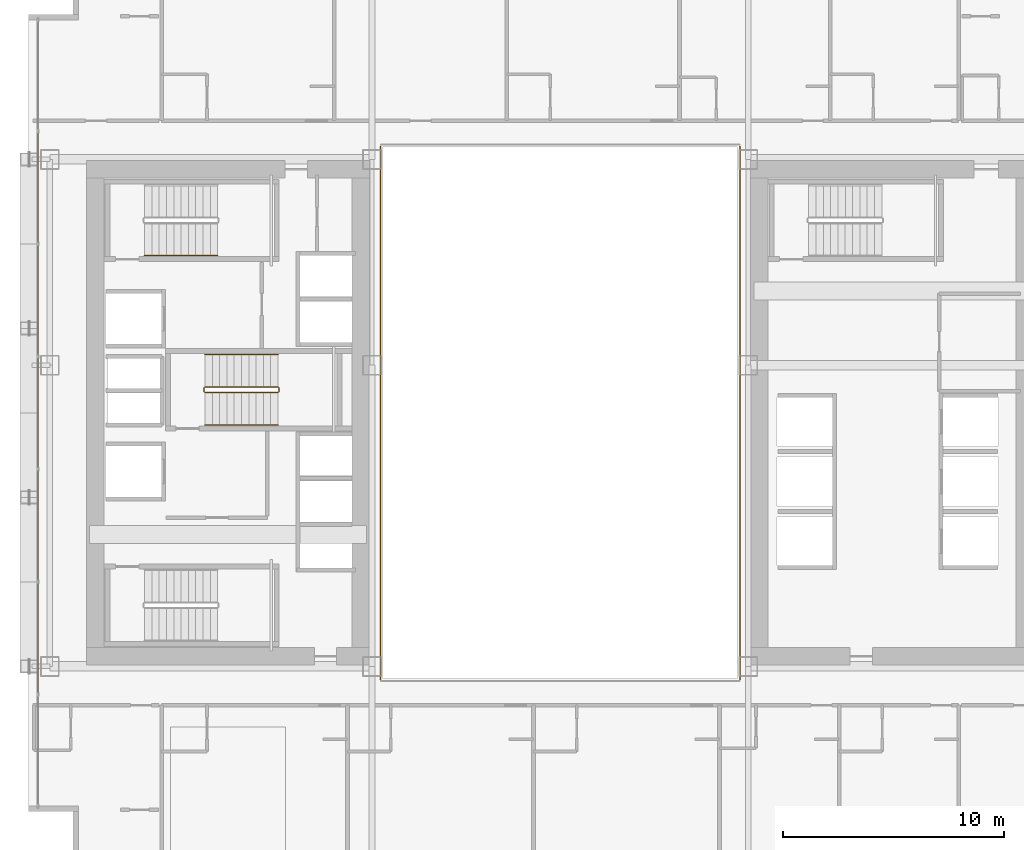
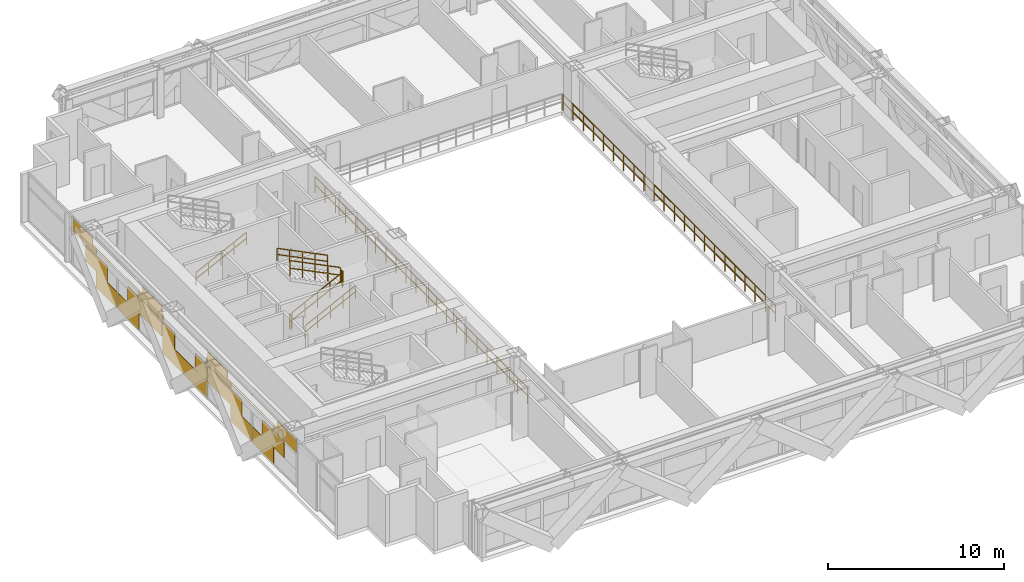
# One storey, part 36 of 38: 9 railings, 1 covering.
"""IFC4 building model written with IfcOpenShell, lengths in metres."""

from ifc_helpers import new_model, si_unit, direction, frame, origin, origin_2d, place, context, subcontext, project, spatial, rectangle, extrude, material, layer, layer_set, type_object, element, save


model = new_model("IFC4")

# Units and contexts
model_context = context("Model", 3, precision=1e-05, world=origin(), true_north=direction((0.0, 1.0)))
body_context = subcontext(model_context, "Body", "Model", "MODEL_VIEW")
ifc_project = project(units=[si_unit("LENGTHUNIT", "METRE"), si_unit("AREAUNIT", "SQUARE_METRE"), si_unit("VOLUMEUNIT", "CUBIC_METRE"), si_unit("PLANEANGLEUNIT", "RADIAN"), si_unit("MASSUNIT", "GRAM", prefix="KILO")], contexts=[model_context])

# Site, building, storey
site_placement = place(None, origin())
site = spatial("IfcSite", under=ifc_project, at=site_placement, CompositionType="ELEMENT")
building_placement = place(site_placement, origin())
building = spatial("IfcBuilding", under=site, at=building_placement, Name="Ocotamira Hotel", CompositionType="ELEMENT")
storey_placement = place(building_placement, frame((0.0, 0.0, 60.0)))
storey = spatial("IfcBuildingStorey", under=building, at=storey_placement, Name="L14", CompositionType="ELEMENT", Elevation=60.0)

# Covering
ifc_material_1 = material(Name="Insulated pale-metal aluminium spandrel panel", Category="aluminium")
ifc_layer = layer(ifc_material_1, 0.044921875)
ifc_layer_set = layer_set([ifc_layer], Name="Insulated pale-metal aluminium spandrel panel")
covering_type = type_object("IfcCoveringType", Name="COV-INFILL-45", PredefinedType="CLADDING", material=ifc_layer_set)
covering_placement = place(storey_placement, origin())
element("IfcCovering", 1, at=covering_placement, inside=storey, type_object=covering_type, Name="L14 Curtain Wall Infill CW-2 CW-L14-W", PredefinedType="CLADDING", context=body_context, shape_type="SweptSolid", body=[
    extrude(rectangle(XDim=2.49658203125, YDim=0.044921875, at=origin_2d()), frame((8.419921875, 15.977783203125, 1.1943359375), z_axis=(0.0, 0.0, 1.0), x_axis=(0.0, 1.0, 0.0)), (0.0, 0.0, 1.0), 1.11767578125),
    extrude(rectangle(XDim=2.415283203125, YDim=0.044921875, at=origin_2d()), frame((8.419921875, 17.123291015625, 0.07568359375), z_axis=(0.0, 0.0, 1.0), x_axis=(0.0, 1.0, 0.0)), (0.0, 0.0, 1.0), 1.11767578125),
    extrude(rectangle(XDim=2.634521484375, YDim=0.044921875, at=origin_2d()), frame((8.419921875, 14.6435546875, 2.38818359375), z_axis=(0.0, 0.0, 1.0), x_axis=(0.0, 1.0, 0.0)), (0.0, 0.0, 1.0), 0.366943359375),
    extrude(rectangle(XDim=5.004638671875, YDim=0.044921875, at=origin_2d()), frame((8.419921875, 15.82861328125, 2.756103515625), z_axis=(0.0, 0.0, 1.0), x_axis=(0.0, 1.0, 0.0)), (0.0, 0.0, 1.0), 0.033203125),
    extrude(rectangle(XDim=2.2080078125, YDim=0.044921875, at=origin_2d()), frame((8.419921875, 14.43017578125, 2.79052734375), z_axis=(0.0, 0.0, 1.0), x_axis=(0.0, 1.0, 0.0)), (0.0, 0.0, 1.0), 0.484130859375),
    extrude(rectangle(XDim=2.40576171875, YDim=0.044921875, at=origin_2d()), frame((8.419921875, 19.61474609375, 0.07568359375), z_axis=(0.0, 0.0, 1.0), x_axis=(0.0, 1.0, 0.0)), (0.0, 0.0, 1.0), 1.11767578125),
    extrude(rectangle(XDim=3.90966796875, YDim=0.044921875, at=origin_2d()), frame((8.419921875, 21.4619140625, 1.1943359375), z_axis=(0.0, 0.0, 1.0), x_axis=(0.0, 1.0, 0.0)), (0.0, 0.0, 1.0), 1.11767578125),
    extrude(rectangle(XDim=5.004638671875, YDim=0.044921875, at=origin_2d()), frame((8.419921875, 20.914306640625, 2.756103515625), z_axis=(0.0, 0.0, 1.0), x_axis=(0.0, 1.0, 0.0)), (0.0, 0.0, 1.0), 0.033203125),
    extrude(rectangle(XDim=2.64404296875, YDim=0.044921875, at=origin_2d()), frame((8.419921875, 22.094482421875, 2.38818359375), z_axis=(0.0, 0.0, 1.0), x_axis=(0.0, 1.0, 0.0)), (0.0, 0.0, 1.0), 0.366943359375),
    extrude(rectangle(XDim=2.217529296875, YDim=0.044921875, at=origin_2d()), frame((8.419921875, 22.307861328125, 2.79052734375), z_axis=(0.0, 0.0, 1.0), x_axis=(0.0, 1.0, 0.0)), (0.0, 0.0, 1.0), 0.484130859375),
    extrude(rectangle(XDim=5.004638671875, YDim=0.044921875, at=origin_2d()), frame((8.419921875, 26.0, 0.07568359375), z_axis=(0.0, 0.0, 1.0), x_axis=(0.0, 1.0, 0.0)), (0.0, 0.0, 1.0), 1.11767578125),
    extrude(rectangle(XDim=1.362060546875, YDim=0.044921875, at=origin_2d()), frame((8.419921875, 24.1787109375, 1.1943359375), z_axis=(0.0, 0.0, 1.0), x_axis=(0.0, 1.0, 0.0)), (0.0, 0.0, 1.0), 1.11767578125),
    extrude(rectangle(XDim=1.362060546875, YDim=0.044921875, at=origin_2d()), frame((8.419921875, 27.8212890625, 1.1943359375), z_axis=(0.0, 0.0, 1.0), x_axis=(0.0, 1.0, 0.0)), (0.0, 0.0, 1.0), 1.11767578125),
    extrude(rectangle(XDim=0.096435546875, YDim=0.044921875, at=origin_2d()), frame((8.419921875, 23.5458984375, 2.387939453125), z_axis=(0.0, 0.0, 1.0), x_axis=(0.0, 1.0, 0.0)), (0.0, 0.0, 1.0), 0.4013671875),
    extrude(rectangle(XDim=0.096435546875, YDim=0.044921875, at=origin_2d()), frame((8.419921875, 28.4541015625, 2.387939453125), z_axis=(0.0, 0.0, 1.0), x_axis=(0.0, 1.0, 0.0)), (0.0, 0.0, 1.0), 0.4013671875),
    extrude(rectangle(XDim=3.90966796875, YDim=0.044921875, at=origin_2d()), frame((8.419921875, 30.5380859375, 1.1943359375), z_axis=(0.0, 0.0, 1.0), x_axis=(0.0, 1.0, 0.0)), (0.0, 0.0, 1.0), 1.11767578125),
    extrude(rectangle(XDim=2.40576171875, YDim=0.044921875, at=origin_2d()), frame((8.419921875, 32.38525390625, 0.07568359375), z_axis=(0.0, 0.0, 1.0), x_axis=(0.0, 1.0, 0.0)), (0.0, 0.0, 1.0), 1.11767578125),
    extrude(rectangle(XDim=2.64404296875, YDim=0.044921875, at=origin_2d()), frame((8.419921875, 29.905517578125, 2.38818359375), z_axis=(0.0, 0.0, 1.0), x_axis=(0.0, 1.0, 0.0)), (0.0, 0.0, 1.0), 0.366943359375),
    extrude(rectangle(XDim=5.004638671875, YDim=0.044921875, at=origin_2d()), frame((8.419921875, 31.085693359375, 2.756103515625), z_axis=(0.0, 0.0, 1.0), x_axis=(0.0, 1.0, 0.0)), (0.0, 0.0, 1.0), 0.033203125),
    extrude(rectangle(XDim=2.217529296875, YDim=0.044921875, at=origin_2d()), frame((8.419921875, 29.692138671875, 2.79052734375), z_axis=(0.0, 0.0, 1.0), x_axis=(0.0, 1.0, 0.0)), (0.0, 0.0, 1.0), 0.484130859375),
    extrude(rectangle(XDim=2.415283203125, YDim=0.044921875, at=origin_2d()), frame((8.419921875, 34.876708984375, 0.07568359375), z_axis=(0.0, 0.0, 1.0), x_axis=(0.0, 1.0, 0.0)), (0.0, 0.0, 1.0), 1.11767578125),
    extrude(rectangle(XDim=2.49658203125, YDim=0.044921875, at=origin_2d()), frame((8.419921875, 36.022216796875, 1.1943359375), z_axis=(0.0, 0.0, 1.0), x_axis=(0.0, 1.0, 0.0)), (0.0, 0.0, 1.0), 1.11767578125),
    extrude(rectangle(XDim=5.004638671875, YDim=0.044921875, at=origin_2d()), frame((8.419921875, 36.17138671875, 2.756103515625), z_axis=(0.0, 0.0, 1.0), x_axis=(0.0, 1.0, 0.0)), (0.0, 0.0, 1.0), 0.033203125),
    extrude(rectangle(XDim=2.634521484375, YDim=0.044921875, at=origin_2d()), frame((8.419921875, 37.3564453125, 2.38818359375), z_axis=(0.0, 0.0, 1.0), x_axis=(0.0, 1.0, 0.0)), (0.0, 0.0, 1.0), 0.366943359375),
    extrude(rectangle(XDim=2.2080078125, YDim=0.044921875, at=origin_2d()), frame((8.419921875, 37.56982421875, 2.79052734375), z_axis=(0.0, 0.0, 1.0), x_axis=(0.0, 1.0, 0.0)), (0.0, 0.0, 1.0), 0.484130859375),
])

# Railings
ifc_material_2 = material(Name="Painted steel stair guardrail", Category="steel")
railing_type_1 = type_object("IfcRailingType", Name="RL-EDGE-1150", PredefinedType="GUARDRAIL", material=ifc_material_2)
railing_1_placement = place(storey_placement, frame((40.1201171875, 13.9599609375, 0.0)))
element("IfcRailing", 2, at=railing_1_placement, inside=storey, type_object=railing_type_1, Name="L14 Central Atrium Edge Guardrail E", PredefinedType="GUARDRAIL", context=body_context, shape_type="SweptSolid", body=[
    extrude(rectangle(XDim=0.048095703125, YDim=0.048095703125, at=origin_2d()), frame((0.0, 0.0, 1.1259765625), z_axis=(0.0, 1.0, 0.0), x_axis=(-1.0, 0.0, 0.0)), (0.0, 0.0, 1.0), 24.080078125),
    extrude(rectangle(XDim=0.048095703125, YDim=0.048095703125, at=origin_2d()), frame((0.0, 0.0, 0.574951171875), z_axis=(0.0, 1.0, 0.0), x_axis=(-1.0, 0.0, 0.0)), (0.0, 0.0, 1.0), 24.080078125),
    extrude(rectangle(XDim=0.0419921875, YDim=0.0419921875, at=origin_2d()), origin(), (0.0, 0.0, 1.0), 1.101806640625),
    extrude(rectangle(XDim=0.0419921875, YDim=0.0419921875, at=origin_2d()), frame((0.0, 1.146728515625, 0.0)), (0.0, 0.0, 1.0), 1.101806640625),
    extrude(rectangle(XDim=0.0419921875, YDim=0.0419921875, at=origin_2d()), frame((0.0, 2.29345703125, 0.0)), (0.0, 0.0, 1.0), 1.101806640625),
    extrude(rectangle(XDim=0.0419921875, YDim=0.0419921875, at=origin_2d()), frame((0.0, 3.43994140625, 0.0)), (0.0, 0.0, 1.0), 1.101806640625),
    extrude(rectangle(XDim=0.0419921875, YDim=0.0419921875, at=origin_2d()), frame((0.0, 4.586669921875, 0.0)), (0.0, 0.0, 1.0), 1.101806640625),
    extrude(rectangle(XDim=0.0419921875, YDim=0.0419921875, at=origin_2d()), frame((0.0, 5.7333984375, 0.0)), (0.0, 0.0, 1.0), 1.101806640625),
    extrude(rectangle(XDim=0.0419921875, YDim=0.0419921875, at=origin_2d()), frame((0.0, 6.880126953125, 0.0)), (0.0, 0.0, 1.0), 1.101806640625),
    extrude(rectangle(XDim=0.0419921875, YDim=0.0419921875, at=origin_2d()), frame((0.0, 8.026611328125, 0.0)), (0.0, 0.0, 1.0), 1.101806640625),
    extrude(rectangle(XDim=0.0419921875, YDim=0.0419921875, at=origin_2d()), frame((0.0, 9.17333984375, 0.0)), (0.0, 0.0, 1.0), 1.101806640625),
    extrude(rectangle(XDim=0.0419921875, YDim=0.0419921875, at=origin_2d()), frame((0.0, 10.320068359375, 0.0)), (0.0, 0.0, 1.0), 1.101806640625),
    extrude(rectangle(XDim=0.0419921875, YDim=0.0419921875, at=origin_2d()), frame((0.0, 11.466796875, 0.0)), (0.0, 0.0, 1.0), 1.101806640625),
    extrude(rectangle(XDim=0.0419921875, YDim=0.0419921875, at=origin_2d()), frame((0.0, 12.61328125, 0.0)), (0.0, 0.0, 1.0), 1.101806640625),
    extrude(rectangle(XDim=0.0419921875, YDim=0.0419921875, at=origin_2d()), frame((0.0, 13.760009765625, 0.0)), (0.0, 0.0, 1.0), 1.101806640625),
    extrude(rectangle(XDim=0.0419921875, YDim=0.0419921875, at=origin_2d()), frame((0.0, 14.90673828125, 0.0)), (0.0, 0.0, 1.0), 1.101806640625),
    extrude(rectangle(XDim=0.0419921875, YDim=0.0419921875, at=origin_2d()), frame((0.0, 16.053466796875, 0.0)), (0.0, 0.0, 1.0), 1.101806640625),
    extrude(rectangle(XDim=0.0419921875, YDim=0.0419921875, at=origin_2d()), frame((0.0, 17.199951171875, 0.0)), (0.0, 0.0, 1.0), 1.101806640625),
    extrude(rectangle(XDim=0.0419921875, YDim=0.0419921875, at=origin_2d()), frame((0.0, 18.3466796875, 0.0)), (0.0, 0.0, 1.0), 1.101806640625),
    extrude(rectangle(XDim=0.0419921875, YDim=0.0419921875, at=origin_2d()), frame((0.0, 19.493408203125, 0.0)), (0.0, 0.0, 1.0), 1.101806640625),
    extrude(rectangle(XDim=0.0419921875, YDim=0.0419921875, at=origin_2d()), frame((0.0, 20.64013671875, 0.0)), (0.0, 0.0, 1.0), 1.101806640625),
    extrude(rectangle(XDim=0.0419921875, YDim=0.0419921875, at=origin_2d()), frame((0.0, 21.78662109375, 0.0)), (0.0, 0.0, 1.0), 1.101806640625),
    extrude(rectangle(XDim=0.0419921875, YDim=0.0419921875, at=origin_2d()), frame((0.0, 22.933349609375, 0.0)), (0.0, 0.0, 1.0), 1.101806640625),
    extrude(rectangle(XDim=0.0419921875, YDim=0.0419921875, at=origin_2d()), frame((0.0, 24.080078125, 0.0)), (0.0, 0.0, 1.0), 1.101806640625),
])
railing_2_placement = place(storey_placement, frame((23.8798828125, 38.0400390625, 0.0)))
element("IfcRailing", 3, at=railing_2_placement, inside=storey, type_object=railing_type_1, Name="L14 Central Atrium Edge Guardrail W", PredefinedType="GUARDRAIL", context=body_context, shape_type="SweptSolid", body=[
    extrude(rectangle(XDim=0.048095703125, YDim=0.048095703125, at=origin_2d()), frame((0.0, 0.0, 1.1259765625), z_axis=(0.0, -1.0, 0.0), x_axis=(1.0, 0.0, 0.0)), (0.0, 0.0, 1.0), 24.080078125),
    extrude(rectangle(XDim=0.048095703125, YDim=0.048095703125, at=origin_2d()), frame((0.0, 0.0, 0.574951171875), z_axis=(0.0, -1.0, 0.0), x_axis=(1.0, 0.0, 0.0)), (0.0, 0.0, 1.0), 24.080078125),
    extrude(rectangle(XDim=0.0419921875, YDim=0.0419921875, at=origin_2d()), origin(), (0.0, 0.0, 1.0), 1.101806640625),
    extrude(rectangle(XDim=0.0419921875, YDim=0.0419921875, at=origin_2d()), frame((0.0, -1.146728515625, 0.0)), (0.0, 0.0, 1.0), 1.101806640625),
    extrude(rectangle(XDim=0.0419921875, YDim=0.0419921875, at=origin_2d()), frame((0.0, -2.29345703125, 0.0)), (0.0, 0.0, 1.0), 1.101806640625),
    extrude(rectangle(XDim=0.0419921875, YDim=0.0419921875, at=origin_2d()), frame((0.0, -3.43994140625, 0.0)), (0.0, 0.0, 1.0), 1.101806640625),
    extrude(rectangle(XDim=0.0419921875, YDim=0.0419921875, at=origin_2d()), frame((0.0, -4.586669921875, 0.0)), (0.0, 0.0, 1.0), 1.101806640625),
    extrude(rectangle(XDim=0.0419921875, YDim=0.0419921875, at=origin_2d()), frame((0.0, -5.7333984375, 0.0)), (0.0, 0.0, 1.0), 1.101806640625),
    extrude(rectangle(XDim=0.0419921875, YDim=0.0419921875, at=origin_2d()), frame((0.0, -6.880126953125, 0.0)), (0.0, 0.0, 1.0), 1.101806640625),
    extrude(rectangle(XDim=0.0419921875, YDim=0.0419921875, at=origin_2d()), frame((0.0, -8.026611328125, 0.0)), (0.0, 0.0, 1.0), 1.101806640625),
    extrude(rectangle(XDim=0.0419921875, YDim=0.0419921875, at=origin_2d()), frame((0.0, -9.17333984375, 0.0)), (0.0, 0.0, 1.0), 1.101806640625),
    extrude(rectangle(XDim=0.0419921875, YDim=0.0419921875, at=origin_2d()), frame((0.0, -10.320068359375, 0.0)), (0.0, 0.0, 1.0), 1.101806640625),
    extrude(rectangle(XDim=0.0419921875, YDim=0.0419921875, at=origin_2d()), frame((0.0, -11.466796875, 0.0)), (0.0, 0.0, 1.0), 1.101806640625),
    extrude(rectangle(XDim=0.0419921875, YDim=0.0419921875, at=origin_2d()), frame((0.0, -12.61328125, 0.0)), (0.0, 0.0, 1.0), 1.101806640625),
    extrude(rectangle(XDim=0.0419921875, YDim=0.0419921875, at=origin_2d()), frame((0.0, -13.760009765625, 0.0)), (0.0, 0.0, 1.0), 1.101806640625),
    extrude(rectangle(XDim=0.0419921875, YDim=0.0419921875, at=origin_2d()), frame((0.0, -14.90673828125, 0.0)), (0.0, 0.0, 1.0), 1.101806640625),
    extrude(rectangle(XDim=0.0419921875, YDim=0.0419921875, at=origin_2d()), frame((0.0, -16.053466796875, 0.0)), (0.0, 0.0, 1.0), 1.101806640625),
    extrude(rectangle(XDim=0.0419921875, YDim=0.0419921875, at=origin_2d()), frame((0.0, -17.199951171875, 0.0)), (0.0, 0.0, 1.0), 1.101806640625),
    extrude(rectangle(XDim=0.0419921875, YDim=0.0419921875, at=origin_2d()), frame((0.0, -18.3466796875, 0.0)), (0.0, 0.0, 1.0), 1.101806640625),
    extrude(rectangle(XDim=0.0419921875, YDim=0.0419921875, at=origin_2d()), frame((0.0, -19.493408203125, 0.0)), (0.0, 0.0, 1.0), 1.101806640625),
    extrude(rectangle(XDim=0.0419921875, YDim=0.0419921875, at=origin_2d()), frame((0.0, -20.64013671875, 0.0)), (0.0, 0.0, 1.0), 1.101806640625),
    extrude(rectangle(XDim=0.0419921875, YDim=0.0419921875, at=origin_2d()), frame((0.0, -21.78662109375, 0.0)), (0.0, 0.0, 1.0), 1.101806640625),
    extrude(rectangle(XDim=0.0419921875, YDim=0.0419921875, at=origin_2d()), frame((0.0, -22.933349609375, 0.0)), (0.0, 0.0, 1.0), 1.101806640625),
    extrude(rectangle(XDim=0.0419921875, YDim=0.0419921875, at=origin_2d()), frame((0.0, -24.080078125, 0.0)), (0.0, 0.0, 1.0), 1.101806640625),
])
ifc_material_3 = material(Name="Brushed stainless steel handrail", Category="steel")
railing_type_2 = type_object("IfcRailingType", Name="RL-HAND-900", PredefinedType="HANDRAIL", material=ifc_material_3)
for number, where, name in (
    (4, (13.22998046875, 33.10009765625, 0.327392578125), "L14 ST-2 stair handrail 1"),
    (5, (15.9599609375, 25.449951171875, 0.327392578125), "L14 ST-3 stair handrail 1"),
):
    element("IfcRailing", number, at=place(storey_placement, frame(where)), inside=storey, type_object=railing_type_2, Name=name, PredefinedType="HANDRAIL", context=body_context, shape_type="SweptSolid", body=[
        extrude(rectangle(XDim=0.048095703125, YDim=0.048095703125, at=origin_2d()), frame((0.0, 0.0, 0.8759765625), z_axis=(0.895920123917, 0.0, 0.444215186098), x_axis=(0.0, 1.0, 0.0)), (0.0, 0.0, 1.0), 3.683349609375),
        extrude(rectangle(XDim=0.048095703125, YDim=0.048095703125, at=origin_2d()), frame((0.0, 0.0, 0.449951171875), z_axis=(0.895920123917, 0.0, 0.444215186098), x_axis=(0.0, 1.0, 0.0)), (0.0, 0.0, 1.0), 3.683349609375),
        extrude(rectangle(XDim=0.0419921875, YDim=0.0419921875, at=origin_2d()), origin(), (0.0, 0.0, 1.0), 0.851806640625),
        extrude(rectangle(XDim=0.0419921875, YDim=0.0419921875, at=origin_2d()), frame((0.824951171875, 0.0, 0.4091796875)), (0.0, 0.0, 1.0), 0.851806640625),
        extrude(rectangle(XDim=0.0419921875, YDim=0.0419921875, at=origin_2d()), frame((1.64990234375, 0.0, 0.818115234375)), (0.0, 0.0, 1.0), 0.851806640625),
        extrude(rectangle(XDim=0.0419921875, YDim=0.0419921875, at=origin_2d()), frame((2.47509765625, 0.0, 1.22705078125)), (0.0, 0.0, 1.0), 0.851806640625),
        extrude(rectangle(XDim=0.0419921875, YDim=0.0419921875, at=origin_2d()), frame((3.300048828125, 0.0, 1.63623046875)), (0.0, 0.0, 1.0), 0.851806640625),
    ])
railing_3_placement = place(storey_placement, frame((19.260009765625, 28.6298828125, 2.127197265625)))
element("IfcRailing", 6, at=railing_3_placement, inside=storey, type_object=railing_type_2, Name="L14 ST-3 stair handrail 2", PredefinedType="HANDRAIL", context=body_context, shape_type="SweptSolid", body=[
    extrude(rectangle(XDim=0.048095703125, YDim=0.048095703125, at=origin_2d()), frame((0.0, 0.0, 0.8759765625), z_axis=(-0.895893744519, 0.0, 0.4442683857), x_axis=(0.0, -1.0, 0.0)), (0.0, 0.0, 1.0), 3.68359375),
    extrude(rectangle(XDim=0.048095703125, YDim=0.048095703125, at=origin_2d()), frame((0.0, 0.0, 0.449951171875), z_axis=(-0.895893744519, 0.0, 0.4442683857), x_axis=(0.0, -1.0, 0.0)), (0.0, 0.0, 1.0), 3.68359375),
    extrude(rectangle(XDim=0.0419921875, YDim=0.0419921875, at=origin_2d()), origin(), (0.0, 0.0, 1.0), 0.851806640625),
    extrude(rectangle(XDim=0.0419921875, YDim=0.0419921875, at=origin_2d()), frame((-0.824951171875, 0.0, 0.4091796875)), (0.0, 0.0, 1.0), 0.851806640625),
    extrude(rectangle(XDim=0.0419921875, YDim=0.0419921875, at=origin_2d()), frame((-1.64990234375, 0.0, 0.818359375)), (0.0, 0.0, 1.0), 0.851806640625),
    extrude(rectangle(XDim=0.0419921875, YDim=0.0419921875, at=origin_2d()), frame((-2.47509765625, 0.0, 1.227294921875)), (0.0, 0.0, 1.0), 0.851806640625),
    extrude(rectangle(XDim=0.0419921875, YDim=0.0419921875, at=origin_2d()), frame((-3.300048828125, 0.0, 1.636474609375)), (0.0, 0.0, 1.0), 0.851806640625),
])
railing_type_3 = type_object("IfcRailingType", Name="RL-STAIR-1100", PredefinedType="GUARDRAIL", material=ifc_material_2)
railing_4_placement = place(storey_placement, frame((15.9599609375, 26.909912109375, 0.16357421875)))
element("IfcRailing", 7, at=railing_4_placement, inside=storey, type_object=railing_type_3, Name="L14 ST-3 stair guard 1", PredefinedType="GUARDRAIL", context=body_context, shape_type="SweptSolid", body=[
    extrude(rectangle(XDim=0.048095703125, YDim=0.048095703125, at=origin_2d()), frame((0.0, 0.0, 1.076171875), z_axis=(0.895893744519, 0.0, 0.4442683857), x_axis=(0.0, 1.0, 0.0)), (0.0, 0.0, 1.0), 3.68359375),
    extrude(rectangle(XDim=0.048095703125, YDim=0.048095703125, at=origin_2d()), frame((0.0, 0.0, 0.550048828125), z_axis=(0.895893744519, 0.0, 0.4442683857), x_axis=(0.0, 1.0, 0.0)), (0.0, 0.0, 1.0), 3.68359375),
    extrude(rectangle(XDim=0.0419921875, YDim=0.0419921875, at=origin_2d()), origin(), (0.0, 0.0, 1.0), 1.052001953125),
    extrude(rectangle(XDim=0.0419921875, YDim=0.0419921875, at=origin_2d()), frame((0.824951171875, 0.0, 0.4091796875)), (0.0, 0.0, 1.0), 1.052001953125),
    extrude(rectangle(XDim=0.0419921875, YDim=0.0419921875, at=origin_2d()), frame((1.64990234375, 0.0, 0.818359375)), (0.0, 0.0, 1.0), 1.052001953125),
    extrude(rectangle(XDim=0.0419921875, YDim=0.0419921875, at=origin_2d()), frame((2.47509765625, 0.0, 1.227294921875)), (0.0, 0.0, 1.0), 1.052001953125),
    extrude(rectangle(XDim=0.0419921875, YDim=0.0419921875, at=origin_2d()), frame((3.300048828125, 0.0, 1.636474609375)), (0.0, 0.0, 1.0), 1.052001953125),
])
railing_5_placement = place(storey_placement, frame((19.31005859375, 26.9599609375, 1.800048828125)))
element("IfcRailing", 8, at=railing_5_placement, inside=storey, type_object=railing_type_3, Name="L14 ST-3 stair guard 2", PredefinedType="GUARDRAIL", context=body_context, shape_type="SweptSolid", body=[
    extrude(rectangle(XDim=0.048095703125, YDim=0.048095703125, at=origin_2d()), frame((0.0, 0.0, 1.076171875), z_axis=(0.0, 1.0, 0.0), x_axis=(-1.0, 0.0, 0.0)), (0.0, 0.0, 1.0), 0.16015625),
    extrude(rectangle(XDim=0.048095703125, YDim=0.048095703125, at=origin_2d()), frame((0.0, 0.0, 0.550048828125), z_axis=(0.0, 1.0, 0.0), x_axis=(-1.0, 0.0, 0.0)), (0.0, 0.0, 1.0), 0.16015625),
    extrude(rectangle(XDim=0.0419921875, YDim=0.0419921875, at=origin_2d()), origin(), (0.0, 0.0, 1.0), 1.052001953125),
    extrude(rectangle(XDim=0.0419921875, YDim=0.0419921875, at=origin_2d()), frame((0.0, 0.16015625, 0.0)), (0.0, 0.0, 1.0), 1.052001953125),
])
railing_6_placement = place(storey_placement, frame((19.260009765625, 27.169921875, 1.963623046875)))
element("IfcRailing", 9, at=railing_6_placement, inside=storey, type_object=railing_type_3, Name="L14 ST-3 stair guard 3", PredefinedType="GUARDRAIL", context=body_context, shape_type="SweptSolid", body=[
    extrude(rectangle(XDim=0.048095703125, YDim=0.048095703125, at=origin_2d()), frame((0.0, 0.0, 1.076171875), z_axis=(-0.895893744519, 0.0, 0.4442683857), x_axis=(0.0, -1.0, 0.0)), (0.0, 0.0, 1.0), 3.68359375),
    extrude(rectangle(XDim=0.048095703125, YDim=0.048095703125, at=origin_2d()), frame((0.0, 0.0, 0.550048828125), z_axis=(-0.895893744519, 0.0, 0.4442683857), x_axis=(0.0, -1.0, 0.0)), (0.0, 0.0, 1.0), 3.68359375),
    extrude(rectangle(XDim=0.0419921875, YDim=0.0419921875, at=origin_2d()), origin(), (0.0, 0.0, 1.0), 1.052001953125),
    extrude(rectangle(XDim=0.0419921875, YDim=0.0419921875, at=origin_2d()), frame((-0.824951171875, 0.0, 0.4091796875)), (0.0, 0.0, 1.0), 1.052001953125),
    extrude(rectangle(XDim=0.0419921875, YDim=0.0419921875, at=origin_2d()), frame((-1.64990234375, 0.0, 0.818359375)), (0.0, 0.0, 1.0), 1.052001953125),
    extrude(rectangle(XDim=0.0419921875, YDim=0.0419921875, at=origin_2d()), frame((-2.47509765625, 0.0, 1.227294921875)), (0.0, 0.0, 1.0), 1.052001953125),
    extrude(rectangle(XDim=0.0419921875, YDim=0.0419921875, at=origin_2d()), frame((-3.300048828125, 0.0, 1.636474609375)), (0.0, 0.0, 1.0), 1.052001953125),
])
railing_7_placement = place(storey_placement, frame((15.909912109375, 26.9599609375, 0.0)))
element("IfcRailing", 10, at=railing_7_placement, inside=storey, type_object=railing_type_3, Name="L14 ST-3 stair guard 4", PredefinedType="GUARDRAIL", context=body_context, shape_type="SweptSolid", body=[
    extrude(rectangle(XDim=0.048095703125, YDim=0.048095703125, at=origin_2d()), frame((0.0, 0.0, 1.076171875), z_axis=(0.0, 1.0, 0.0), x_axis=(-1.0, 0.0, 0.0)), (0.0, 0.0, 1.0), 0.16015625),
    extrude(rectangle(XDim=0.048095703125, YDim=0.048095703125, at=origin_2d()), frame((0.0, 0.0, 0.550048828125), z_axis=(0.0, 1.0, 0.0), x_axis=(-1.0, 0.0, 0.0)), (0.0, 0.0, 1.0), 0.16015625),
    extrude(rectangle(XDim=0.0419921875, YDim=0.0419921875, at=origin_2d()), origin(), (0.0, 0.0, 1.0), 1.052001953125),
    extrude(rectangle(XDim=0.0419921875, YDim=0.0419921875, at=origin_2d()), frame((0.0, 0.16015625, 0.0)), (0.0, 0.0, 1.0), 1.052001953125),
])

save(model, "model.ifc")
